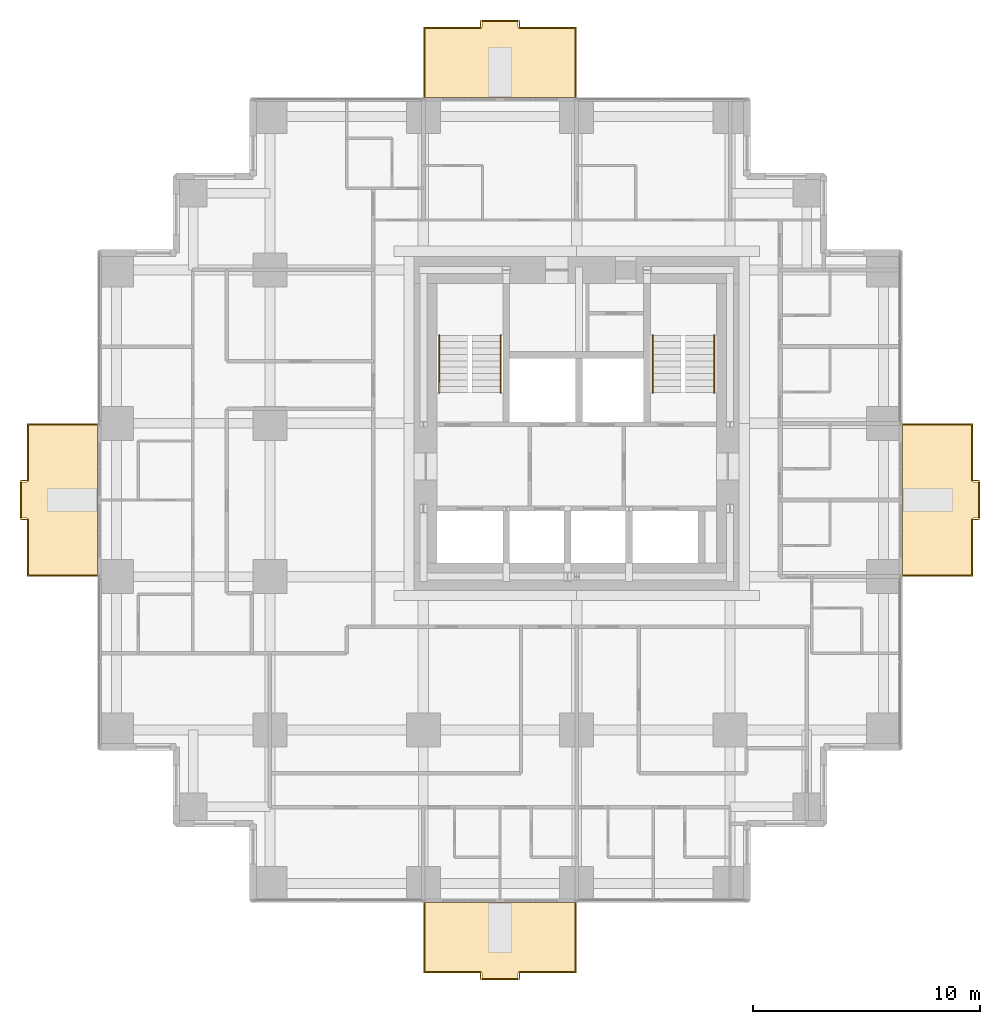
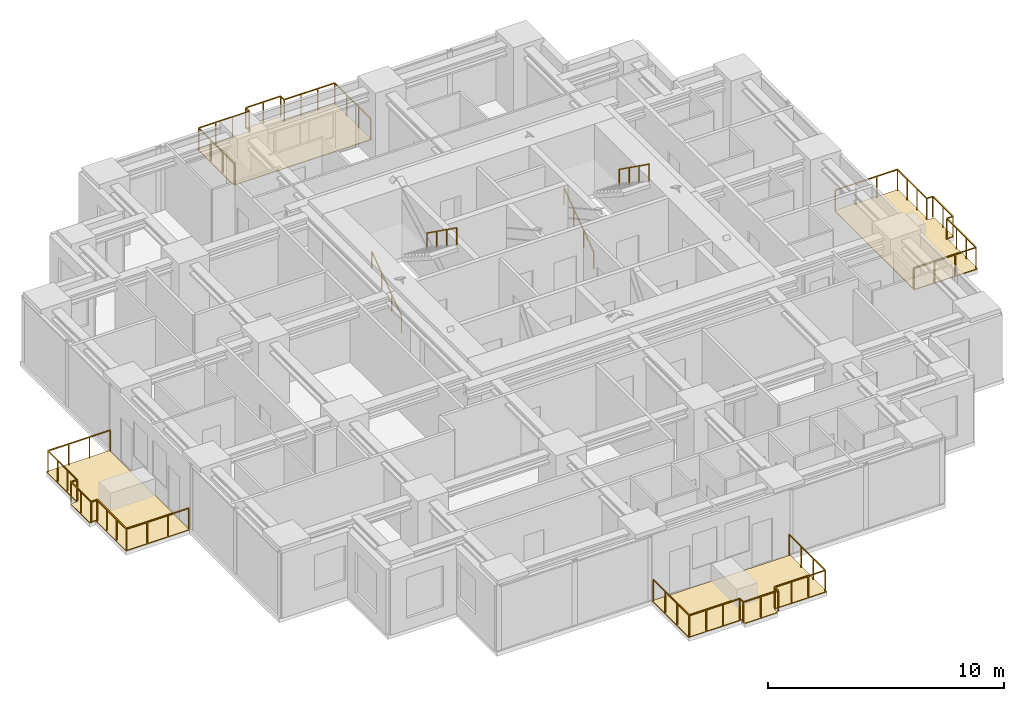
# One storey, part 10 of 10: 8 railings, 4 coverings.
"""IFC4 building model written with IfcOpenShell, lengths in metres."""

from ifc_helpers import new_model, si_unit, direction, frame, origin, origin_2d, place, context, subcontext, project, spatial, polyline, rectangle, outline, extrude, material, layer, layer_set, type_object, element, save


model = new_model("IFC4")

# Units and contexts
model_context = context("Model", 3, precision=1e-05, world=origin(), true_north=direction((0.0, 1.0)))
body_context = subcontext(model_context, "Body", "Model", "MODEL_VIEW")
ifc_project = project(units=[si_unit("LENGTHUNIT", "METRE"), si_unit("AREAUNIT", "SQUARE_METRE"), si_unit("VOLUMEUNIT", "CUBIC_METRE"), si_unit("PLANEANGLEUNIT", "RADIAN"), si_unit("MASSUNIT", "GRAM", prefix="KILO")], contexts=[model_context])

# Site, building, storey
site_placement = place(None, origin())
site = spatial("IfcSite", under=ifc_project, at=site_placement, CompositionType="ELEMENT")
building_placement = place(site_placement, origin())
building = spatial("IfcBuilding", under=site, at=building_placement, Name="Nyansa Garden Tower", CompositionType="ELEMENT")
storey_placement = place(building_placement, frame((0.0, 0.0, 163.800048828125)))
storey = spatial("IfcBuildingStorey", under=building, at=storey_placement, Name="L44", CompositionType="ELEMENT", Elevation=163.800048828125)

# Coverings
ifc_material_1 = material(Name="Hardwood decking on pedestals", Category="wood")
ifc_layer = layer(ifc_material_1, 0.0400390625)
ifc_layer_set = layer_set([ifc_layer], Name="Balcony decking DK40")
covering_type = type_object("IfcCoveringType", Name="Balcony decking DK40", PredefinedType="FLOORING", material=ifc_layer_set)
covering_1_placement = place(storey_placement, frame((0.0, 0.0, -0.0400390625)))
element("IfcCovering", 1, at=covering_1_placement, inside=storey, type_object=covering_type, Name="Balcony decking L44", PredefinedType="FLOORING", context=body_context, shape_type="SweptSolid", body=[
    extrude(outline(polyline([(13.5, -0.85009765625), (20.25, -0.85009765625), (20.25, -3.949951171875), (17.675048828125, -3.949951171875), (17.675048828125, -4.25), (16.074951171875, -4.25), (16.074951171875, -3.949951171875), (13.5, -3.949951171875), (13.5, -0.85009765625)])), origin(), (0.0, 0.0, 1.0), 0.0400390625),
])
covering_2_placement = place(storey_placement, frame((0.0, 0.0, -0.0400390625)))
element("IfcCovering", 2, at=covering_2_placement, inside=storey, type_object=covering_type, Name="Balcony decking L44", PredefinedType="FLOORING", context=body_context, shape_type="SweptSolid", body=[
    extrude(outline(polyline([(34.60009765625, 13.5), (34.60009765625, 20.25), (37.699951171875, 20.25), (37.699951171875, 17.675048828125), (38.0, 17.675048828125), (38.0, 16.074951171875), (37.699951171875, 16.074951171875), (37.699951171875, 13.5), (34.60009765625, 13.5)])), origin(), (0.0, 0.0, 1.0), 0.0400390625),
])
covering_3_placement = place(storey_placement, frame((0.0, 0.0, -0.0400390625)))
element("IfcCovering", 3, at=covering_3_placement, inside=storey, type_object=covering_type, Name="Balcony decking L44", PredefinedType="FLOORING", context=body_context, shape_type="SweptSolid", body=[
    extrude(outline(polyline([(13.5, 34.60009765625), (20.25, 34.60009765625), (20.25, 37.699951171875), (17.675048828125, 37.699951171875), (17.675048828125, 38.0), (16.074951171875, 38.0), (16.074951171875, 37.699951171875), (13.5, 37.699951171875), (13.5, 34.60009765625)])), origin(), (0.0, 0.0, 1.0), 0.0400390625),
])
covering_4_placement = place(storey_placement, frame((0.0, 0.0, -0.0400390625)))
element("IfcCovering", 4, at=covering_4_placement, inside=storey, type_object=covering_type, Name="Balcony decking L44", PredefinedType="FLOORING", context=body_context, shape_type="SweptSolid", body=[
    extrude(outline(polyline([(-0.85009765625, 13.5), (-0.85009765625, 20.25), (-3.949951171875, 20.25), (-3.949951171875, 17.675048828125), (-4.25, 17.675048828125), (-4.25, 16.074951171875), (-3.949951171875, 16.074951171875), (-3.949951171875, 13.5), (-0.85009765625, 13.5)])), origin(), (0.0, 0.0, 1.0), 0.0400390625),
])

# Railings
ifc_material_2 = material(Name="Black powder-coated steel balusters, laminated glass infill", Category="steel")
railing_type_1 = type_object("IfcRailingType", Name="Balcony guard G1", PredefinedType="GUARDRAIL", material=ifc_material_2)
railing_1_placement = place(storey_placement, frame((13.550048828125, -0.85009765625, 0.0)))
element("IfcRailing", 5, at=railing_1_placement, inside=storey, type_object=railing_type_1, Name="Balcony guard L44", PredefinedType="GUARDRAIL", context=body_context, shape_type="SweptSolid", body=[
    extrude(rectangle(XDim=0.048095703125, YDim=0.048095703125, at=origin_2d()), frame((0.0, 0.0, 1.076171875), z_axis=(0.0, -1.0, 0.0), x_axis=(1.0, 0.0, 0.0)), (0.0, 0.0, 1.0), 3.0498046875),
    extrude(rectangle(XDim=0.048095703125, YDim=0.048095703125, at=origin_2d()), frame((0.0, -3.0498046875, 1.076171875), z_axis=(1.0, 0.0, 0.0), x_axis=(0.0, 1.0, 0.0)), (0.0, 0.0, 1.0), 2.474853515625),
    extrude(rectangle(XDim=0.048095703125, YDim=0.048095703125, at=origin_2d()), frame((2.474853515625, -3.0498046875, 1.076171875), z_axis=(0.0, -1.0, 0.0), x_axis=(1.0, 0.0, 0.0)), (0.0, 0.0, 1.0), 0.300048828125),
    extrude(rectangle(XDim=0.048095703125, YDim=0.048095703125, at=origin_2d()), frame((2.474853515625, -3.349853515625, 1.076171875), z_axis=(1.0, 0.0, 0.0), x_axis=(0.0, 1.0, 0.0)), (0.0, 0.0, 1.0), 1.7001953125),
    extrude(rectangle(XDim=0.048095703125, YDim=0.048095703125, at=origin_2d()), frame((4.175048828125, -3.349853515625, 1.076171875), z_axis=(0.0, 1.0, 0.0), x_axis=(-1.0, 0.0, 0.0)), (0.0, 0.0, 1.0), 0.300048828125),
    extrude(rectangle(XDim=0.048095703125, YDim=0.048095703125, at=origin_2d()), frame((4.175048828125, -3.0498046875, 1.076171875), z_axis=(1.0, 0.0, 0.0), x_axis=(0.0, 1.0, 0.0)), (0.0, 0.0, 1.0), 2.474853515625),
    extrude(rectangle(XDim=0.048095703125, YDim=0.048095703125, at=origin_2d()), frame((6.64990234375, -3.0498046875, 1.076171875), z_axis=(0.0, 1.0, 0.0), x_axis=(-1.0, 0.0, 0.0)), (0.0, 0.0, 1.0), 3.0498046875),
    extrude(rectangle(XDim=0.0419921875, YDim=0.0419921875, at=origin_2d()), origin(), (0.0, 0.0, 1.0), 1.052001953125),
    extrude(rectangle(XDim=0.0419921875, YDim=0.0419921875, at=origin_2d()), frame((0.0, -1.0166015625, 0.0)), (0.0, 0.0, 1.0), 1.052001953125),
    extrude(rectangle(XDim=0.0419921875, YDim=0.0419921875, at=origin_2d()), frame((0.0, -2.033203125, 0.0)), (0.0, 0.0, 1.0), 1.052001953125),
    extrude(rectangle(XDim=0.0419921875, YDim=0.0419921875, at=origin_2d()), frame((0.0, -3.0498046875, 0.0)), (0.0, 0.0, 1.0), 1.052001953125),
    extrude(rectangle(XDim=0.0419921875, YDim=0.0419921875, at=origin_2d()), frame((0.824951171875, -3.0498046875, 0.0)), (0.0, 0.0, 1.0), 1.052001953125),
    extrude(rectangle(XDim=0.0419921875, YDim=0.0419921875, at=origin_2d()), frame((1.64990234375, -3.0498046875, 0.0)), (0.0, 0.0, 1.0), 1.052001953125),
    extrude(rectangle(XDim=0.0419921875, YDim=0.0419921875, at=origin_2d()), frame((2.474853515625, -3.0498046875, 0.0)), (0.0, 0.0, 1.0), 1.052001953125),
    extrude(rectangle(XDim=0.0419921875, YDim=0.0419921875, at=origin_2d()), frame((2.474853515625, -3.349853515625, 0.0)), (0.0, 0.0, 1.0), 1.052001953125),
    extrude(rectangle(XDim=0.0419921875, YDim=0.0419921875, at=origin_2d()), frame((3.324951171875, -3.349853515625, 0.0)), (0.0, 0.0, 1.0), 1.052001953125),
    extrude(rectangle(XDim=0.0419921875, YDim=0.0419921875, at=origin_2d()), frame((4.175048828125, -3.349853515625, 0.0)), (0.0, 0.0, 1.0), 1.052001953125),
    extrude(rectangle(XDim=0.0419921875, YDim=0.0419921875, at=origin_2d()), frame((4.175048828125, -3.0498046875, 0.0)), (0.0, 0.0, 1.0), 1.052001953125),
    extrude(rectangle(XDim=0.0419921875, YDim=0.0419921875, at=origin_2d()), frame((5.0, -3.0498046875, 0.0)), (0.0, 0.0, 1.0), 1.052001953125),
    extrude(rectangle(XDim=0.0419921875, YDim=0.0419921875, at=origin_2d()), frame((5.824951171875, -3.0498046875, 0.0)), (0.0, 0.0, 1.0), 1.052001953125),
    extrude(rectangle(XDim=0.0419921875, YDim=0.0419921875, at=origin_2d()), frame((6.64990234375, -3.0498046875, 0.0)), (0.0, 0.0, 1.0), 1.052001953125),
    extrude(rectangle(XDim=0.0419921875, YDim=0.0419921875, at=origin_2d()), frame((6.64990234375, -2.033203125, 0.0)), (0.0, 0.0, 1.0), 1.052001953125),
    extrude(rectangle(XDim=0.0419921875, YDim=0.0419921875, at=origin_2d()), frame((6.64990234375, -1.0166015625, 0.0)), (0.0, 0.0, 1.0), 1.052001953125),
    extrude(rectangle(XDim=0.0419921875, YDim=0.0419921875, at=origin_2d()), frame((6.64990234375, 0.0, 0.0)), (0.0, 0.0, 1.0), 1.052001953125),
])
railing_2_placement = place(storey_placement, frame((34.60009765625, 13.550048828125, 0.0)))
element("IfcRailing", 6, at=railing_2_placement, inside=storey, type_object=railing_type_1, Name="Balcony guard L44", PredefinedType="GUARDRAIL", context=body_context, shape_type="SweptSolid", body=[
    extrude(rectangle(XDim=0.048095703125, YDim=0.048095703125, at=origin_2d()), frame((0.0, 0.0, 1.076171875), z_axis=(1.0, 0.0, 0.0), x_axis=(0.0, 1.0, 0.0)), (0.0, 0.0, 1.0), 3.0498046875),
    extrude(rectangle(XDim=0.048095703125, YDim=0.048095703125, at=origin_2d()), frame((3.0498046875, 0.0, 1.076171875), z_axis=(0.0, 1.0, 0.0), x_axis=(-1.0, 0.0, 0.0)), (0.0, 0.0, 1.0), 2.474853515625),
    extrude(rectangle(XDim=0.048095703125, YDim=0.048095703125, at=origin_2d()), frame((3.0498046875, 2.474853515625, 1.076171875), z_axis=(1.0, 0.0, 0.0), x_axis=(0.0, 1.0, 0.0)), (0.0, 0.0, 1.0), 0.300048828125),
    extrude(rectangle(XDim=0.048095703125, YDim=0.048095703125, at=origin_2d()), frame((3.349853515625, 2.474853515625, 1.076171875), z_axis=(0.0, 1.0, 0.0), x_axis=(-1.0, 0.0, 0.0)), (0.0, 0.0, 1.0), 1.7001953125),
    extrude(rectangle(XDim=0.048095703125, YDim=0.048095703125, at=origin_2d()), frame((3.349853515625, 4.175048828125, 1.076171875), z_axis=(-1.0, 0.0, 0.0), x_axis=(0.0, -1.0, 0.0)), (0.0, 0.0, 1.0), 0.300048828125),
    extrude(rectangle(XDim=0.048095703125, YDim=0.048095703125, at=origin_2d()), frame((3.0498046875, 4.175048828125, 1.076171875), z_axis=(0.0, 1.0, 0.0), x_axis=(-1.0, 0.0, 0.0)), (0.0, 0.0, 1.0), 2.474853515625),
    extrude(rectangle(XDim=0.048095703125, YDim=0.048095703125, at=origin_2d()), frame((3.0498046875, 6.64990234375, 1.076171875), z_axis=(-1.0, 0.0, 0.0), x_axis=(0.0, -1.0, 0.0)), (0.0, 0.0, 1.0), 3.0498046875),
    extrude(rectangle(XDim=0.0419921875, YDim=0.0419921875, at=origin_2d()), origin(), (0.0, 0.0, 1.0), 1.052001953125),
    extrude(rectangle(XDim=0.0419921875, YDim=0.0419921875, at=origin_2d()), frame((1.0166015625, 0.0, 0.0)), (0.0, 0.0, 1.0), 1.052001953125),
    extrude(rectangle(XDim=0.0419921875, YDim=0.0419921875, at=origin_2d()), frame((2.033203125, 0.0, 0.0)), (0.0, 0.0, 1.0), 1.052001953125),
    extrude(rectangle(XDim=0.0419921875, YDim=0.0419921875, at=origin_2d()), frame((3.0498046875, 0.0, 0.0)), (0.0, 0.0, 1.0), 1.052001953125),
    extrude(rectangle(XDim=0.0419921875, YDim=0.0419921875, at=origin_2d()), frame((3.0498046875, 0.824951171875, 0.0)), (0.0, 0.0, 1.0), 1.052001953125),
    extrude(rectangle(XDim=0.0419921875, YDim=0.0419921875, at=origin_2d()), frame((3.0498046875, 1.64990234375, 0.0)), (0.0, 0.0, 1.0), 1.052001953125),
    extrude(rectangle(XDim=0.0419921875, YDim=0.0419921875, at=origin_2d()), frame((3.0498046875, 2.474853515625, 0.0)), (0.0, 0.0, 1.0), 1.052001953125),
    extrude(rectangle(XDim=0.0419921875, YDim=0.0419921875, at=origin_2d()), frame((3.349853515625, 2.474853515625, 0.0)), (0.0, 0.0, 1.0), 1.052001953125),
    extrude(rectangle(XDim=0.0419921875, YDim=0.0419921875, at=origin_2d()), frame((3.349853515625, 3.324951171875, 0.0)), (0.0, 0.0, 1.0), 1.052001953125),
    extrude(rectangle(XDim=0.0419921875, YDim=0.0419921875, at=origin_2d()), frame((3.349853515625, 4.175048828125, 0.0)), (0.0, 0.0, 1.0), 1.052001953125),
    extrude(rectangle(XDim=0.0419921875, YDim=0.0419921875, at=origin_2d()), frame((3.0498046875, 4.175048828125, 0.0)), (0.0, 0.0, 1.0), 1.052001953125),
    extrude(rectangle(XDim=0.0419921875, YDim=0.0419921875, at=origin_2d()), frame((3.0498046875, 5.0, 0.0)), (0.0, 0.0, 1.0), 1.052001953125),
    extrude(rectangle(XDim=0.0419921875, YDim=0.0419921875, at=origin_2d()), frame((3.0498046875, 5.824951171875, 0.0)), (0.0, 0.0, 1.0), 1.052001953125),
    extrude(rectangle(XDim=0.0419921875, YDim=0.0419921875, at=origin_2d()), frame((3.0498046875, 6.64990234375, 0.0)), (0.0, 0.0, 1.0), 1.052001953125),
    extrude(rectangle(XDim=0.0419921875, YDim=0.0419921875, at=origin_2d()), frame((2.033203125, 6.64990234375, 0.0)), (0.0, 0.0, 1.0), 1.052001953125),
    extrude(rectangle(XDim=0.0419921875, YDim=0.0419921875, at=origin_2d()), frame((1.0166015625, 6.64990234375, 0.0)), (0.0, 0.0, 1.0), 1.052001953125),
    extrude(rectangle(XDim=0.0419921875, YDim=0.0419921875, at=origin_2d()), frame((0.0, 6.64990234375, 0.0)), (0.0, 0.0, 1.0), 1.052001953125),
])
railing_3_placement = place(storey_placement, frame((13.550048828125, 34.60009765625, 0.0)))
element("IfcRailing", 7, at=railing_3_placement, inside=storey, type_object=railing_type_1, Name="Balcony guard L44", PredefinedType="GUARDRAIL", context=body_context, shape_type="SweptSolid", body=[
    extrude(rectangle(XDim=0.048095703125, YDim=0.048095703125, at=origin_2d()), frame((0.0, 0.0, 1.076171875), z_axis=(0.0, 1.0, 0.0), x_axis=(-1.0, 0.0, 0.0)), (0.0, 0.0, 1.0), 3.0498046875),
    extrude(rectangle(XDim=0.048095703125, YDim=0.048095703125, at=origin_2d()), frame((0.0, 3.0498046875, 1.076171875), z_axis=(1.0, 0.0, 0.0), x_axis=(0.0, 1.0, 0.0)), (0.0, 0.0, 1.0), 2.474853515625),
    extrude(rectangle(XDim=0.048095703125, YDim=0.048095703125, at=origin_2d()), frame((2.474853515625, 3.0498046875, 1.076171875), z_axis=(0.0, 1.0, 0.0), x_axis=(-1.0, 0.0, 0.0)), (0.0, 0.0, 1.0), 0.300048828125),
    extrude(rectangle(XDim=0.048095703125, YDim=0.048095703125, at=origin_2d()), frame((2.474853515625, 3.349853515625, 1.076171875), z_axis=(1.0, 0.0, 0.0), x_axis=(0.0, 1.0, 0.0)), (0.0, 0.0, 1.0), 1.7001953125),
    extrude(rectangle(XDim=0.048095703125, YDim=0.048095703125, at=origin_2d()), frame((4.175048828125, 3.349853515625, 1.076171875), z_axis=(0.0, -1.0, 0.0), x_axis=(1.0, 0.0, 0.0)), (0.0, 0.0, 1.0), 0.300048828125),
    extrude(rectangle(XDim=0.048095703125, YDim=0.048095703125, at=origin_2d()), frame((4.175048828125, 3.0498046875, 1.076171875), z_axis=(1.0, 0.0, 0.0), x_axis=(0.0, 1.0, 0.0)), (0.0, 0.0, 1.0), 2.474853515625),
    extrude(rectangle(XDim=0.048095703125, YDim=0.048095703125, at=origin_2d()), frame((6.64990234375, 3.0498046875, 1.076171875), z_axis=(0.0, -1.0, 0.0), x_axis=(1.0, 0.0, 0.0)), (0.0, 0.0, 1.0), 3.0498046875),
    extrude(rectangle(XDim=0.0419921875, YDim=0.0419921875, at=origin_2d()), origin(), (0.0, 0.0, 1.0), 1.052001953125),
    extrude(rectangle(XDim=0.0419921875, YDim=0.0419921875, at=origin_2d()), frame((0.0, 1.0166015625, 0.0)), (0.0, 0.0, 1.0), 1.052001953125),
    extrude(rectangle(XDim=0.0419921875, YDim=0.0419921875, at=origin_2d()), frame((0.0, 2.033203125, 0.0)), (0.0, 0.0, 1.0), 1.052001953125),
    extrude(rectangle(XDim=0.0419921875, YDim=0.0419921875, at=origin_2d()), frame((0.0, 3.0498046875, 0.0)), (0.0, 0.0, 1.0), 1.052001953125),
    extrude(rectangle(XDim=0.0419921875, YDim=0.0419921875, at=origin_2d()), frame((0.824951171875, 3.0498046875, 0.0)), (0.0, 0.0, 1.0), 1.052001953125),
    extrude(rectangle(XDim=0.0419921875, YDim=0.0419921875, at=origin_2d()), frame((1.64990234375, 3.0498046875, 0.0)), (0.0, 0.0, 1.0), 1.052001953125),
    extrude(rectangle(XDim=0.0419921875, YDim=0.0419921875, at=origin_2d()), frame((2.474853515625, 3.0498046875, 0.0)), (0.0, 0.0, 1.0), 1.052001953125),
    extrude(rectangle(XDim=0.0419921875, YDim=0.0419921875, at=origin_2d()), frame((2.474853515625, 3.349853515625, 0.0)), (0.0, 0.0, 1.0), 1.052001953125),
    extrude(rectangle(XDim=0.0419921875, YDim=0.0419921875, at=origin_2d()), frame((3.324951171875, 3.349853515625, 0.0)), (0.0, 0.0, 1.0), 1.052001953125),
    extrude(rectangle(XDim=0.0419921875, YDim=0.0419921875, at=origin_2d()), frame((4.175048828125, 3.349853515625, 0.0)), (0.0, 0.0, 1.0), 1.052001953125),
    extrude(rectangle(XDim=0.0419921875, YDim=0.0419921875, at=origin_2d()), frame((4.175048828125, 3.0498046875, 0.0)), (0.0, 0.0, 1.0), 1.052001953125),
    extrude(rectangle(XDim=0.0419921875, YDim=0.0419921875, at=origin_2d()), frame((5.0, 3.0498046875, 0.0)), (0.0, 0.0, 1.0), 1.052001953125),
    extrude(rectangle(XDim=0.0419921875, YDim=0.0419921875, at=origin_2d()), frame((5.824951171875, 3.0498046875, 0.0)), (0.0, 0.0, 1.0), 1.052001953125),
    extrude(rectangle(XDim=0.0419921875, YDim=0.0419921875, at=origin_2d()), frame((6.64990234375, 3.0498046875, 0.0)), (0.0, 0.0, 1.0), 1.052001953125),
    extrude(rectangle(XDim=0.0419921875, YDim=0.0419921875, at=origin_2d()), frame((6.64990234375, 2.033203125, 0.0)), (0.0, 0.0, 1.0), 1.052001953125),
    extrude(rectangle(XDim=0.0419921875, YDim=0.0419921875, at=origin_2d()), frame((6.64990234375, 1.0166015625, 0.0)), (0.0, 0.0, 1.0), 1.052001953125),
    extrude(rectangle(XDim=0.0419921875, YDim=0.0419921875, at=origin_2d()), frame((6.64990234375, 0.0, 0.0)), (0.0, 0.0, 1.0), 1.052001953125),
])
railing_4_placement = place(storey_placement, frame((-0.85009765625, 13.550048828125, 0.0)))
element("IfcRailing", 8, at=railing_4_placement, inside=storey, type_object=railing_type_1, Name="Balcony guard L44", PredefinedType="GUARDRAIL", context=body_context, shape_type="SweptSolid", body=[
    extrude(rectangle(XDim=0.048095703125, YDim=0.048095703125, at=origin_2d()), frame((0.0, 0.0, 1.076171875), z_axis=(-1.0, 0.0, 0.0), x_axis=(0.0, -1.0, 0.0)), (0.0, 0.0, 1.0), 3.0498046875),
    extrude(rectangle(XDim=0.048095703125, YDim=0.048095703125, at=origin_2d()), frame((-3.0498046875, 0.0, 1.076171875), z_axis=(0.0, 1.0, 0.0), x_axis=(-1.0, 0.0, 0.0)), (0.0, 0.0, 1.0), 2.474853515625),
    extrude(rectangle(XDim=0.048095703125, YDim=0.048095703125, at=origin_2d()), frame((-3.0498046875, 2.474853515625, 1.076171875), z_axis=(-1.0, 0.0, 0.0), x_axis=(0.0, -1.0, 0.0)), (0.0, 0.0, 1.0), 0.300048828125),
    extrude(rectangle(XDim=0.048095703125, YDim=0.048095703125, at=origin_2d()), frame((-3.349853515625, 2.474853515625, 1.076171875), z_axis=(0.0, 1.0, 0.0), x_axis=(-1.0, 0.0, 0.0)), (0.0, 0.0, 1.0), 1.7001953125),
    extrude(rectangle(XDim=0.048095703125, YDim=0.048095703125, at=origin_2d()), frame((-3.349853515625, 4.175048828125, 1.076171875), z_axis=(1.0, 0.0, 0.0), x_axis=(0.0, 1.0, 0.0)), (0.0, 0.0, 1.0), 0.300048828125),
    extrude(rectangle(XDim=0.048095703125, YDim=0.048095703125, at=origin_2d()), frame((-3.0498046875, 4.175048828125, 1.076171875), z_axis=(0.0, 1.0, 0.0), x_axis=(-1.0, 0.0, 0.0)), (0.0, 0.0, 1.0), 2.474853515625),
    extrude(rectangle(XDim=0.048095703125, YDim=0.048095703125, at=origin_2d()), frame((-3.0498046875, 6.64990234375, 1.076171875), z_axis=(1.0, 0.0, 0.0), x_axis=(0.0, 1.0, 0.0)), (0.0, 0.0, 1.0), 3.0498046875),
    extrude(rectangle(XDim=0.0419921875, YDim=0.0419921875, at=origin_2d()), origin(), (0.0, 0.0, 1.0), 1.052001953125),
    extrude(rectangle(XDim=0.0419921875, YDim=0.0419921875, at=origin_2d()), frame((-1.0166015625, 0.0, 0.0)), (0.0, 0.0, 1.0), 1.052001953125),
    extrude(rectangle(XDim=0.0419921875, YDim=0.0419921875, at=origin_2d()), frame((-2.033203125, 0.0, 0.0)), (0.0, 0.0, 1.0), 1.052001953125),
    extrude(rectangle(XDim=0.0419921875, YDim=0.0419921875, at=origin_2d()), frame((-3.0498046875, 0.0, 0.0)), (0.0, 0.0, 1.0), 1.052001953125),
    extrude(rectangle(XDim=0.0419921875, YDim=0.0419921875, at=origin_2d()), frame((-3.0498046875, 0.824951171875, 0.0)), (0.0, 0.0, 1.0), 1.052001953125),
    extrude(rectangle(XDim=0.0419921875, YDim=0.0419921875, at=origin_2d()), frame((-3.0498046875, 1.64990234375, 0.0)), (0.0, 0.0, 1.0), 1.052001953125),
    extrude(rectangle(XDim=0.0419921875, YDim=0.0419921875, at=origin_2d()), frame((-3.0498046875, 2.474853515625, 0.0)), (0.0, 0.0, 1.0), 1.052001953125),
    extrude(rectangle(XDim=0.0419921875, YDim=0.0419921875, at=origin_2d()), frame((-3.349853515625, 2.474853515625, 0.0)), (0.0, 0.0, 1.0), 1.052001953125),
    extrude(rectangle(XDim=0.0419921875, YDim=0.0419921875, at=origin_2d()), frame((-3.349853515625, 3.324951171875, 0.0)), (0.0, 0.0, 1.0), 1.052001953125),
    extrude(rectangle(XDim=0.0419921875, YDim=0.0419921875, at=origin_2d()), frame((-3.349853515625, 4.175048828125, 0.0)), (0.0, 0.0, 1.0), 1.052001953125),
    extrude(rectangle(XDim=0.0419921875, YDim=0.0419921875, at=origin_2d()), frame((-3.0498046875, 4.175048828125, 0.0)), (0.0, 0.0, 1.0), 1.052001953125),
    extrude(rectangle(XDim=0.0419921875, YDim=0.0419921875, at=origin_2d()), frame((-3.0498046875, 5.0, 0.0)), (0.0, 0.0, 1.0), 1.052001953125),
    extrude(rectangle(XDim=0.0419921875, YDim=0.0419921875, at=origin_2d()), frame((-3.0498046875, 5.824951171875, 0.0)), (0.0, 0.0, 1.0), 1.052001953125),
    extrude(rectangle(XDim=0.0419921875, YDim=0.0419921875, at=origin_2d()), frame((-3.0498046875, 6.64990234375, 0.0)), (0.0, 0.0, 1.0), 1.052001953125),
    extrude(rectangle(XDim=0.0419921875, YDim=0.0419921875, at=origin_2d()), frame((-2.033203125, 6.64990234375, 0.0)), (0.0, 0.0, 1.0), 1.052001953125),
    extrude(rectangle(XDim=0.0419921875, YDim=0.0419921875, at=origin_2d()), frame((-1.0166015625, 6.64990234375, 0.0)), (0.0, 0.0, 1.0), 1.052001953125),
    extrude(rectangle(XDim=0.0419921875, YDim=0.0419921875, at=origin_2d()), frame((0.0, 6.64990234375, 0.0)), (0.0, 0.0, 1.0), 1.052001953125),
])
ifc_material_3 = material(Name="Black powder-coated steel tube 48 mm", Category="steel")
railing_type_2 = type_object("IfcRailingType", Name="Stair handrail HR1", PredefinedType="HANDRAIL", material=ifc_material_3)
railing_5_placement = place(storey_placement, frame((14.199951171875, 21.60009765625, 0.0)))
element("IfcRailing", 9, at=railing_5_placement, inside=storey, type_object=railing_type_2, Name="Stair S1 handrail L44", PredefinedType="HANDRAIL", context=body_context, shape_type="SweptSolid", body=[
    extrude(rectangle(XDim=0.048095703125, YDim=0.048095703125, at=origin_2d()), frame((0.0, 0.0, 0.8759765625), z_axis=(0.0, 0.813728144527, 0.581245650998), x_axis=(-1.0, 0.0, 0.0)), (0.0, 0.0, 1.0), 3.096923828125),
    extrude(rectangle(XDim=0.0419921875, YDim=0.0419921875, at=origin_2d()), origin(), (0.0, 0.0, 1.0), 0.851806640625),
    extrude(rectangle(XDim=0.0419921875, YDim=0.0419921875, at=origin_2d()), frame((0.0, 0.840087890625, 0.60009765625)), (0.0, 0.0, 1.0), 0.851806640625),
    extrude(rectangle(XDim=0.0419921875, YDim=0.0419921875, at=origin_2d()), frame((0.0, 1.679931640625, 1.199951171875)), (0.0, 0.0, 1.0), 0.851806640625),
    extrude(rectangle(XDim=0.0419921875, YDim=0.0419921875, at=origin_2d()), frame((0.0, 2.52001953125, 1.800048828125)), (0.0, 0.0, 1.0), 0.851806640625),
])
railing_6_placement = place(storey_placement, frame((16.89990234375, 24.1201171875, 1.800048828125)))
element("IfcRailing", 10, at=railing_6_placement, inside=storey, type_object=railing_type_2, Name="Stair S1 handrail L44", PredefinedType="HANDRAIL", context=body_context, shape_type="SweptSolid", body=[
    extrude(rectangle(XDim=0.048095703125, YDim=0.048095703125, at=origin_2d()), frame((0.0, 0.0, 0.8759765625), z_axis=(0.0, -0.813765431312, 0.581193446971), x_axis=(1.0, 0.0, 0.0)), (0.0, 0.0, 1.0), 3.0966796875),
    extrude(rectangle(XDim=0.0419921875, YDim=0.0419921875, at=origin_2d()), origin(), (0.0, 0.0, 1.0), 0.851806640625),
    extrude(rectangle(XDim=0.0419921875, YDim=0.0419921875, at=origin_2d()), frame((0.0, -0.840087890625, 0.599853515625)), (0.0, 0.0, 1.0), 0.851806640625),
    extrude(rectangle(XDim=0.0419921875, YDim=0.0419921875, at=origin_2d()), frame((0.0, -1.679931640625, 1.199951171875)), (0.0, 0.0, 1.0), 0.851806640625),
    extrude(rectangle(XDim=0.0419921875, YDim=0.0419921875, at=origin_2d()), frame((0.0, -2.52001953125, 1.7998046875)), (0.0, 0.0, 1.0), 0.851806640625),
])
railing_7_placement = place(storey_placement, frame((23.60009765625, 21.60009765625, 0.0)))
element("IfcRailing", 11, at=railing_7_placement, inside=storey, type_object=railing_type_2, Name="Stair S2 handrail L44", PredefinedType="HANDRAIL", context=body_context, shape_type="SweptSolid", body=[
    extrude(rectangle(XDim=0.048095703125, YDim=0.048095703125, at=origin_2d()), frame((0.0, 0.0, 0.8759765625), z_axis=(0.0, 0.813728144527, 0.581245650998), x_axis=(-1.0, 0.0, 0.0)), (0.0, 0.0, 1.0), 3.096923828125),
    extrude(rectangle(XDim=0.0419921875, YDim=0.0419921875, at=origin_2d()), origin(), (0.0, 0.0, 1.0), 0.851806640625),
    extrude(rectangle(XDim=0.0419921875, YDim=0.0419921875, at=origin_2d()), frame((0.0, 0.840087890625, 0.60009765625)), (0.0, 0.0, 1.0), 0.851806640625),
    extrude(rectangle(XDim=0.0419921875, YDim=0.0419921875, at=origin_2d()), frame((0.0, 1.679931640625, 1.199951171875)), (0.0, 0.0, 1.0), 0.851806640625),
    extrude(rectangle(XDim=0.0419921875, YDim=0.0419921875, at=origin_2d()), frame((0.0, 2.52001953125, 1.800048828125)), (0.0, 0.0, 1.0), 0.851806640625),
])
railing_8_placement = place(storey_placement, frame((26.300048828125, 24.1201171875, 1.800048828125)))
element("IfcRailing", 12, at=railing_8_placement, inside=storey, type_object=railing_type_2, Name="Stair S2 handrail L44", PredefinedType="HANDRAIL", context=body_context, shape_type="SweptSolid", body=[
    extrude(rectangle(XDim=0.048095703125, YDim=0.048095703125, at=origin_2d()), frame((0.0, 0.0, 0.8759765625), z_axis=(0.0, -0.813765431312, 0.581193446971), x_axis=(1.0, 0.0, 0.0)), (0.0, 0.0, 1.0), 3.0966796875),
    extrude(rectangle(XDim=0.0419921875, YDim=0.0419921875, at=origin_2d()), origin(), (0.0, 0.0, 1.0), 0.851806640625),
    extrude(rectangle(XDim=0.0419921875, YDim=0.0419921875, at=origin_2d()), frame((0.0, -0.840087890625, 0.599853515625)), (0.0, 0.0, 1.0), 0.851806640625),
    extrude(rectangle(XDim=0.0419921875, YDim=0.0419921875, at=origin_2d()), frame((0.0, -1.679931640625, 1.199951171875)), (0.0, 0.0, 1.0), 0.851806640625),
    extrude(rectangle(XDim=0.0419921875, YDim=0.0419921875, at=origin_2d()), frame((0.0, -2.52001953125, 1.7998046875)), (0.0, 0.0, 1.0), 0.851806640625),
])

save(model, "model.ifc")
